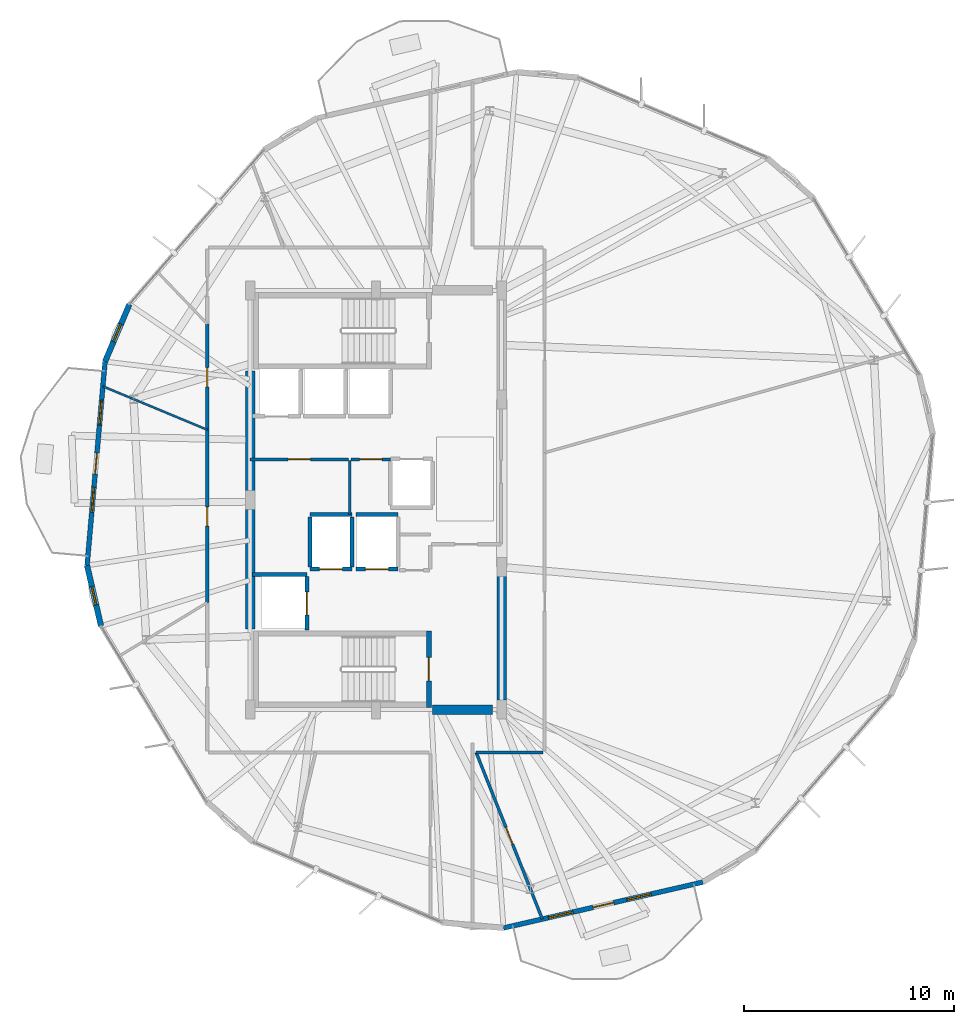
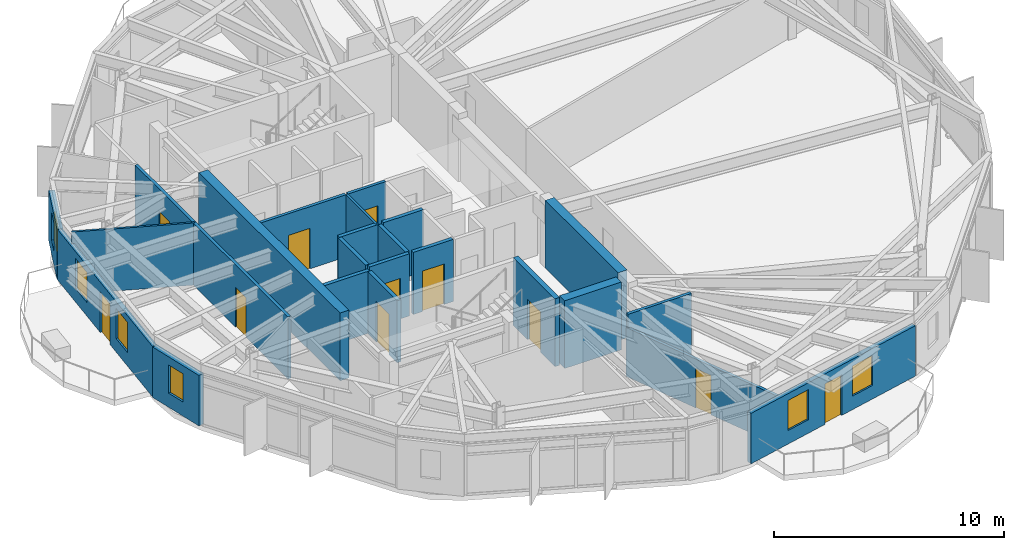
# One storey, part 22 of 27: 24 walls, 11 doors, 6 windows, 17 openings.
"""IFC4 building model written with IfcOpenShell, lengths in metres."""

import ifcopenshell
import ifcopenshell.guid

model = None  # the IFC model being written
_history = None  # IfcOwnerHistory: only IFC2X3 demands one
_inside = {}  # id of a spatial element -> (the spatial element, [elements in it])
_under = {}  # id of a project, library or spatial element -> (it, [spatial elements below it])
_declared = {}  # id of a project -> (the project, [libraries it declares])
_typed = {}  # id of a type object -> (the type object, [elements of that type])
_made_of = {}  # id of a material, layer set ... -> (it, [elements and type objects made of it])


def new_model(schema):
    """Start an empty IFC model of exactly this schema.

    Asked for "IFC4X3", IfcOpenShell would pick the latest addendum, in which some entities
    have other attributes; the version numbers below select the first issue.
    IFC2X3 requires an IfcOwnerHistory on every rooted entity: one is made here for all.
    """
    global model, _history
    if schema == "IFC4X3":
        model = ifcopenshell.file(schema_version=(4, 3, 0, 0))
    else:
        model = ifcopenshell.file(schema=schema)
    _inside.clear()
    _under.clear()
    _declared.clear()
    _typed.clear()
    _made_of.clear()
    _history = None
    if model.schema == "IFC2X3":
        org = make("IfcOrganization", Name="unknown")
        user = make(
            "IfcPersonAndOrganization",
            ThePerson=make("IfcPerson", FamilyName="unknown"),
            TheOrganization=org,
        )
        app = make(
            "IfcApplication",
            ApplicationDeveloper=org,
            Version="unknown",
            ApplicationFullName="unknown",
            ApplicationIdentifier="unknown",
        )
        _history = make(
            "IfcOwnerHistory",
            OwningUser=user,
            OwningApplication=app,
            ChangeAction="ADDED",
            CreationDate=0,
        )
    return model


def make(cls, **values):
    """One entity of the class cls with the attributes given. An attribute that is None is left unset."""
    return model.create_entity(
        cls, **{name: value for name, value in values.items() if value is not None}
    )


def rooted(cls, **values):
    """An entity with a GlobalId (a new one), such as an element, a storey or a relation."""
    return make(cls, GlobalId=ifcopenshell.guid.new(), OwnerHistory=_history, **values)


def si_unit(unit_type, name, prefix=None):
    """IfcSIUnit, for example si_unit("LENGTHUNIT", "METRE", prefix="MILLI")."""
    return make("IfcSIUnit", UnitType=unit_type, Prefix=prefix, Name=name)


def assignment(units):
    """IfcUnitAssignment: the units of a project."""
    return None if units is None else make("IfcUnitAssignment", Units=units)


def point(xyz):
    """IfcCartesianPoint."""
    return None if xyz is None else make("IfcCartesianPoint", Coordinates=xyz)


def direction(xyz):
    """IfcDirection."""
    return None if xyz is None else make("IfcDirection", DirectionRatios=xyz)


def frame(location, z_axis=None, x_axis=None):
    """IfcAxis2Placement3D, a coordinate frame: its origin and axes. An axis left out is left unset."""
    return make(
        "IfcAxis2Placement3D",
        Location=point(location),
        Axis=direction(z_axis),
        RefDirection=direction(x_axis),
    )


def frame_2d(location, x_axis=None):
    """IfcAxis2Placement2D, a coordinate frame in the plane: its origin and x axis."""
    return make(
        "IfcAxis2Placement2D", Location=point(location), RefDirection=direction(x_axis)
    )


def origin():
    """The frame at (0, 0, 0) with its axes left unset."""
    return frame((0.0, 0.0, 0.0))


def place(relative_to, where):
    """IfcLocalPlacement: puts the frame where relative to a parent placement (None: the world)."""
    return make(
        "IfcLocalPlacement", PlacementRelTo=relative_to, RelativePlacement=where
    )


def context(
    kind, dimensions, precision=None, world=None, true_north=None, identifier=None
):
    """IfcGeometricRepresentationContext, for example the 3D "Model" context."""
    return make(
        "IfcGeometricRepresentationContext",
        ContextIdentifier=identifier,
        ContextType=kind,
        CoordinateSpaceDimension=dimensions,
        Precision=precision,
        WorldCoordinateSystem=world,
        TrueNorth=true_north,
    )


def subcontext(parent, identifier, kind, view, scale=None):
    """IfcGeometricRepresentationSubContext, for example "Body" below "Model"."""
    return make(
        "IfcGeometricRepresentationSubContext",
        ContextIdentifier=identifier,
        ContextType=kind,
        ParentContext=parent,
        TargetScale=scale,
        TargetView=view,
    )


def project(units=None, contexts=None):
    """IfcProject with its units and contexts."""
    return rooted(
        "IfcProject",
        Name="project",
        RepresentationContexts=contexts,
        UnitsInContext=assignment(units),
    )


def spatial(cls, under=None, at=None, **own):
    """A site, building, storey or space (cls), placed at a placement, below another one or the project."""
    s = rooted(cls, ObjectPlacement=at, **own)
    if under is not None:
        _under.setdefault(under.id(), (under, []))[1].append(s)
    return s


def profile(cls, at=None, kind="AREA", **sizes):
    """A parametric profile (cls). Its sizes go by their IFC names, for example OverallWidth=200.0."""
    return make(cls, ProfileType=kind, Position=at, **sizes)


def rectangle(**sizes):
    """IfcRectangleProfileDef."""
    return profile("IfcRectangleProfileDef", **sizes)


def extrude(swept, where, along, depth):
    """IfcExtrudedAreaSolid: the profile swept, set in the frame where, extruded along a direction by depth."""
    return make(
        "IfcExtrudedAreaSolid",
        SweptArea=swept,
        Position=where,
        ExtrudedDirection=direction(along),
        Depth=depth,
    )


def shape(context_of_items, identifier, shape_type, items):
    """IfcShapeRepresentation: the items that make up one representation, for example the "Body"."""
    return make(
        "IfcShapeRepresentation",
        ContextOfItems=context_of_items,
        RepresentationIdentifier=identifier,
        RepresentationType=shape_type,
        Items=items,
    )


def material(Name=None, Category=None):
    """IfcMaterial."""
    return make("IfcMaterial", Name=Name, Category=Category)


def layer(
    of_material, thickness, ventilated=None, Name=None, Category=None, Priority=None
):
    """IfcMaterialLayer: one layer of a wall or slab, of a material (None: an air gap)."""
    return make(
        "IfcMaterialLayer",
        Material=of_material,
        LayerThickness=thickness,
        IsVentilated=ventilated,
        Name=Name,
        Category=Category,
        Priority=Priority,
    )


def layer_set(layers, Name=None):
    """IfcMaterialLayerSet."""
    return make("IfcMaterialLayerSet", MaterialLayers=layers, LayerSetName=Name)


def made_of(thing, what):
    """Note that an element or type object is made of a material, layer set ...; save() writes the relation."""
    if what is not None:
        _made_of.setdefault(what.id(), (what, []))[1].append(thing)
    return thing


def type_object(cls, material=None, **own):
    """A type object (cls), such as IfcWallType, which elements share."""
    return made_of(rooted(cls, **own), material)


def element(
    cls,
    number,
    at=None,
    inside=None,
    cuts=None,
    type_object=None,
    material=None,
    context=None,
    identifier="Body",
    shape_type=None,
    held_by="IfcProductDefinitionShape",
    body=None,
    shapes=None,
    **own,
):
    """One element of the class cls, such as IfcWall. Its Tag is "e" and its number.

    at: its placement. inside: the storey or other place that contains it. cuts: it is an
    opening in that element (IfcRelVoidsElement). A single representation is given by context,
    identifier, shape_type and body (its items); several are given by shapes. held_by: the class
    of the entity that holds the representations. save() writes the other relations.
    """
    e = rooted(cls, Tag="e%d" % number, ObjectPlacement=at, **own)
    if body is not None:
        shapes = [shape(context, identifier, shape_type, body)]
    if shapes is not None:
        e.Representation = make(held_by, Representations=shapes)
    if inside is not None:
        _inside.setdefault(inside.id(), (inside, []))[1].append(e)
    if cuts is not None:
        rooted(
            "IfcRelVoidsElement", RelatingBuildingElement=cuts, RelatedOpeningElement=e
        )
    if type_object is not None:
        _typed.setdefault(type_object.id(), (type_object, []))[1].append(e)
    return made_of(e, material)


def fill(opening, filler):
    """IfcRelFillsElement: the door or window that sits in an opening."""
    return rooted(
        "IfcRelFillsElement",
        RelatingOpeningElement=opening,
        RelatedBuildingElement=filler,
    )


def aggregate(whole, parts):
    """IfcRelAggregates: a whole, such as a stair, and the parts it consists of."""
    return rooted("IfcRelAggregates", RelatingObject=whole, RelatedObjects=parts)


def save(model, path):
    """Write the relations noted so far, then the file.

    IfcRelAggregates (storeys below a building ...), IfcRelContainedInSpatialStructure (elements
    in a storey), IfcRelDefinesByType, IfcRelAssociatesMaterial and IfcRelDeclares: one each for
    every whole, place, type object, material and project.
    """
    for whole, parts in _under.values():
        aggregate(whole, parts)
    for where, things in _inside.values():
        rooted(
            "IfcRelContainedInSpatialStructure",
            RelatedElements=things,
            RelatingStructure=where,
        )
    for kind, things in _typed.values():
        rooted("IfcRelDefinesByType", RelatedObjects=things, RelatingType=kind)
    for what, things in _made_of.values():
        rooted("IfcRelAssociatesMaterial", RelatedObjects=things, RelatingMaterial=what)
    for by, libraries in _declared.values():
        rooted("IfcRelDeclares", RelatingContext=by, RelatedDefinitions=libraries)
    model.write(path)


model = new_model("IFC4")

# Units and contexts
model_context = context("Model", 3, precision=1e-05, world=origin(), true_north=direction((0.0, 1.0)))
body_context = subcontext(model_context, "Body", "Model", "MODEL_VIEW")
ifc_project = project(units=[si_unit("LENGTHUNIT", "METRE"), si_unit("AREAUNIT", "SQUARE_METRE"), si_unit("VOLUMEUNIT", "CUBIC_METRE"), si_unit("PLANEANGLEUNIT", "RADIAN"), si_unit("MASSUNIT", "GRAM", prefix="KILO")], contexts=[model_context])

# Site, building, storey
site_placement = place(None, origin())
site = spatial("IfcSite", under=ifc_project, at=site_placement, CompositionType="ELEMENT")
building_placement = place(site_placement, origin())
building = spatial("IfcBuilding", under=site, at=building_placement, Name="Soratama Intermodal Tower", CompositionType="ELEMENT")
storey_placement = place(building_placement, frame((0.0, 0.0, 212.199951171875)))
storey = spatial("IfcBuildingStorey", under=building, at=storey_placement, Name="L53", CompositionType="ELEMENT", Elevation=212.199951171875)

# Wall, openings, door, windows
ifc_material_1 = material(Name="Concrete f'c 42 MPa", Category="concrete")
ifc_layer_1 = layer(ifc_material_1, 0.22998046875)
ifc_layer_set_1 = layer_set([ifc_layer_1], Name="Concrete f'c 42 MPa")
wall_type_1 = type_object("IfcWallType", Name="EW-BAL-230", PredefinedType="SOLIDWALL", material=ifc_layer_set_1)
wall_1_placement = place(storey_placement, frame((25.673095703125, 31.60791015625, 0.0), z_axis=(0.0, 0.0, 1.0), x_axis=(-0.087869741306, -0.996131973467, 0.0)))
wall_1 = element("IfcWall", 1, at=wall_1_placement, inside=storey, type_object=wall_type_1, Name="L53 Terrace Wall F04", PredefinedType="SOLIDWALL", context=body_context, shape_type="SweptSolid", body=[
    extrude(rectangle(XDim=9.76904296875, YDim=0.22998046875, at=frame_2d((4.884521484375, 0.0))), origin(), (0.0, 0.0, 1.0), 2.678955078125),
])
opening_1_placement = place(wall_1_placement, frame((4.384521484375, 0.0, 0.0)))
opening_1 = element("IfcOpeningElement", 2, at=opening_1_placement, cuts=wall_1, Name="Opening ED-2", PredefinedType="OPENING", context=body_context, shape_type="SweptSolid", body=[
    extrude(rectangle(XDim=1.0, YDim=2.14990234375, at=frame_2d((0.5, 1.074951171875))), frame((0.0, 0.125, 0.0), z_axis=(0.0, -1.0, 0.0), x_axis=(1.0, 0.0, 0.0)), (0.0, 0.0, 1.0), 0.25),
])
opening_2_placement = place(wall_1_placement, frame((1.843017578125, 0.0, 0.719970703125)))
opening_2 = element("IfcOpeningElement", 3, at=opening_2_placement, cuts=wall_1, Name="Opening WN-2", PredefinedType="OPENING", context=body_context, shape_type="SweptSolid", body=[
    extrude(rectangle(XDim=1.199951171875, YDim=1.60009765625, at=frame_2d((0.60009765625, 0.800048828125))), frame((0.0, 0.125, 0.0), z_axis=(0.0, -1.0, 0.0), x_axis=(1.0, 0.0, 0.0)), (0.0, 0.0, 1.0), 0.25),
])
opening_3_placement = place(wall_1_placement, frame((6.0244140625, 0.0, 0.719970703125)))
opening_3 = element("IfcOpeningElement", 4, at=opening_3_placement, cuts=wall_1, Name="Opening WN-2", PredefinedType="OPENING", context=body_context, shape_type="SweptSolid", body=[
    extrude(rectangle(XDim=1.199951171875, YDim=1.60009765625, at=frame_2d((0.60009765625, 0.800048828125))), frame((0.0, 0.125, 0.0), z_axis=(0.0, -1.0, 0.0), x_axis=(1.0, 0.0, 0.0)), (0.0, 0.0, 1.0), 0.25),
])
ifc_material_2 = material(Name="Double-glazed aluminium door", Category="aluminium")
door_type_1 = type_object("IfcDoorType", Name="DR-BAL-1000", OperationType="NOTDEFINED", PredefinedType="DOOR", material=ifc_material_2)
door_1_placement = place(opening_1_placement, origin())
door_1 = element("IfcDoor", 5, at=door_1_placement, inside=storey, type_object=door_type_1, Name="L53 Balcony Door F04", OperationType="SINGLE_SWING_RIGHT", OverallHeight=2.14990234375, OverallWidth=1.0, PredefinedType="DOOR", context=body_context, shape_type="SweptSolid", body=[
    extrude(rectangle(XDim=1.0, YDim=2.14990234375, at=frame_2d((0.5, 1.074951171875))), frame((0.0, 0.02490234375, 0.0), z_axis=(0.0, -1.0, 0.0), x_axis=(1.0, 0.0, 0.0)), (0.0, 0.0, 1.0), 0.050048828125),
])
fill(opening_1, door_1)
ifc_material_3 = material(Name="Double-glazed aluminium window", Category="aluminium")
window_type_1 = type_object("IfcWindowType", Name="WN-FAC-1200", PartitioningType="SINGLE_PANEL", PredefinedType="WINDOW", material=ifc_material_3)
window_1_placement = place(opening_2_placement, origin())
window_1 = element("IfcWindow", 6, at=window_1_placement, inside=storey, type_object=window_type_1, Name="L53 Window A F04", OverallHeight=1.60009765625, OverallWidth=1.199951171875, PartitioningType="SINGLE_PANEL", PredefinedType="WINDOW", context=body_context, shape_type="SweptSolid", body=[
    extrude(rectangle(XDim=1.199951171875, YDim=1.60009765625, at=frame_2d((0.60009765625, 0.800048828125))), frame((0.0, 0.030029296875, 0.0), z_axis=(0.0, -1.0, 0.0), x_axis=(1.0, 0.0, 0.0)), (0.0, 0.0, 1.0), 0.06005859375),
])
fill(opening_2, window_1)
window_2_placement = place(opening_3_placement, origin())
window_2 = element("IfcWindow", 7, at=window_2_placement, inside=storey, type_object=window_type_1, Name="L53 Window B F04", OverallHeight=1.60009765625, OverallWidth=1.199951171875, PartitioningType="SINGLE_PANEL", PredefinedType="WINDOW", context=body_context, shape_type="SweptSolid", body=[
    extrude(rectangle(XDim=1.199951171875, YDim=1.60009765625, at=frame_2d((0.60009765625, 0.800048828125))), frame((0.0, 0.030029296875, 0.0), z_axis=(0.0, -1.0, 0.0), x_axis=(1.0, 0.0, 0.0)), (0.0, 0.0, 1.0), 0.06005859375),
])
fill(opening_3, window_2)

wall_2_placement = place(storey_placement, frame((44.68798828125, 4.576904296875, 0.0), z_axis=(0.0, 0.0, 1.0), x_axis=(0.974525807261, 0.224275390941, 0.0)))
wall_2 = element("IfcWall", 8, at=wall_2_placement, inside=storey, type_object=wall_type_1, Name="L53 Terrace Wall F07", PredefinedType="SOLIDWALL", context=body_context, shape_type="SweptSolid", body=[
    extrude(rectangle(XDim=9.768798828125, YDim=0.22998046875, at=frame_2d((4.88427734375, 0.0))), origin(), (0.0, 0.0, 1.0), 2.678955078125),
])
opening_4_placement = place(wall_2_placement, frame((4.384521484375, 0.0, 0.0)))
opening_4 = element("IfcOpeningElement", 9, at=opening_4_placement, cuts=wall_2, Name="Opening ED-2", PredefinedType="OPENING", context=body_context, shape_type="SweptSolid", body=[
    extrude(rectangle(XDim=1.0, YDim=2.14990234375, at=frame_2d((0.5, 1.074951171875))), frame((0.0, 0.125, 0.0), z_axis=(0.0, -1.0, 0.0), x_axis=(1.0, 0.0, 0.0)), (0.0, 0.0, 1.0), 0.25),
])
opening_5_placement = place(wall_2_placement, frame((2.193603515625, 0.0, 0.719970703125)))
opening_5 = element("IfcOpeningElement", 10, at=opening_5_placement, cuts=wall_2, Name="Opening WN-2", PredefinedType="OPENING", context=body_context, shape_type="SweptSolid", body=[
    extrude(rectangle(XDim=1.199951171875, YDim=1.60009765625, at=frame_2d((0.60009765625, 0.800048828125))), frame((0.0, 0.125, 0.0), z_axis=(0.0, -1.0, 0.0), x_axis=(1.0, 0.0, 0.0)), (0.0, 0.0, 1.0), 0.25),
])
opening_6_placement = place(wall_2_placement, frame((6.0244140625, 0.0, 0.719970703125)))
opening_6 = element("IfcOpeningElement", 11, at=opening_6_placement, cuts=wall_2, Name="Opening WN-2", PredefinedType="OPENING", context=body_context, shape_type="SweptSolid", body=[
    extrude(rectangle(XDim=1.199951171875, YDim=1.60009765625, at=frame_2d((0.60009765625, 0.800048828125))), frame((0.0, 0.125, 0.0), z_axis=(0.0, -1.0, 0.0), x_axis=(1.0, 0.0, 0.0)), (0.0, 0.0, 1.0), 0.25),
])
door_2_placement = place(opening_4_placement, origin())
door_2 = element("IfcDoor", 12, at=door_2_placement, inside=storey, type_object=door_type_1, Name="L53 Balcony Door F07", OperationType="SINGLE_SWING_LEFT", OverallHeight=2.14990234375, OverallWidth=1.0, PredefinedType="DOOR", context=body_context, shape_type="SweptSolid", body=[
    extrude(rectangle(XDim=1.0, YDim=2.14990234375, at=frame_2d((0.5, 1.074951171875))), frame((0.0, 0.02490234375, 0.0), z_axis=(0.0, -1.0, 0.0), x_axis=(1.0, 0.0, 0.0)), (0.0, 0.0, 1.0), 0.050048828125),
])
fill(opening_4, door_2)
window_3_placement = place(opening_5_placement, origin())
window_3 = element("IfcWindow", 13, at=window_3_placement, inside=storey, type_object=window_type_1, Name="L53 Window A F07", OverallHeight=1.60009765625, OverallWidth=1.199951171875, PartitioningType="SINGLE_PANEL", PredefinedType="WINDOW", context=body_context, shape_type="SweptSolid", body=[
    extrude(rectangle(XDim=1.199951171875, YDim=1.60009765625, at=frame_2d((0.60009765625, 0.800048828125))), frame((0.0, 0.030029296875, 0.0), z_axis=(0.0, -1.0, 0.0), x_axis=(1.0, 0.0, 0.0)), (0.0, 0.0, 1.0), 0.06005859375),
])
fill(opening_5, window_3)
window_4_placement = place(opening_6_placement, origin())
window_4 = element("IfcWindow", 14, at=window_4_placement, inside=storey, type_object=window_type_1, Name="L53 Window B F07", OverallHeight=1.60009765625, OverallWidth=1.199951171875, PartitioningType="SINGLE_PANEL", PredefinedType="WINDOW", context=body_context, shape_type="SweptSolid", body=[
    extrude(rectangle(XDim=1.199951171875, YDim=1.60009765625, at=frame_2d((0.60009765625, 0.800048828125))), frame((0.0, 0.030029296875, 0.0), z_axis=(0.0, -1.0, 0.0), x_axis=(1.0, 0.0, 0.0)), (0.0, 0.0, 1.0), 0.06005859375),
])
fill(opening_6, window_4)

# Wall, opening, window
ifc_material_4 = material(Name="Concrete f'c 42 MPa", Category="concrete")
ifc_layer_2 = layer(ifc_material_4, 0.27001953125)
ifc_layer_set_2 = layer_set([ifc_layer_2], Name="Concrete f'c 42 MPa")
wall_type_2 = type_object("IfcWallType", Name="EW-CRN-270", PredefinedType="SOLIDWALL", material=ifc_layer_set_2)
wall_3_placement = place(storey_placement, frame((26.833984375, 34.337890625, 0.0), z_axis=(0.0, 0.0, 1.0), x_axis=(-0.391325355633, -0.920252392574, 0.0)))
wall_3 = element("IfcWall", 15, at=wall_3_placement, inside=storey, type_object=wall_type_2, Name="L53 Corner Closure Wall 03", PredefinedType="SOLIDWALL", context=body_context, shape_type="SweptSolid", body=[
    extrude(rectangle(XDim=2.966552734375, YDim=0.27001953125, at=frame_2d((1.4833984375, 0.0))), origin(), (0.0, 0.0, 1.0), 2.678955078125),
])
opening_7_placement = place(wall_3_placement, frame((1.033203125, 0.0, 0.75)))
opening_7 = element("IfcOpeningElement", 16, at=opening_7_placement, cuts=wall_3, Name="Opening WN-6", PredefinedType="OPENING", context=body_context, shape_type="SweptSolid", body=[
    extrude(rectangle(XDim=0.89990234375, YDim=1.5, at=frame_2d((0.449951171875, 0.75))), frame((0.0, 0.14501953125, 0.0), z_axis=(0.0, -1.0, 0.0), x_axis=(1.0, 0.0, 0.0)), (0.0, 0.0, 1.0), 0.2900390625),
])
ifc_material_5 = material(Name="Double-glazed aluminium window", Category="aluminium")
window_type_2 = type_object("IfcWindowType", Name="WN-FAC-900", PartitioningType="SINGLE_PANEL", PredefinedType="WINDOW", material=ifc_material_5)
window_5_placement = place(opening_7_placement, origin())
window_5 = element("IfcWindow", 17, at=window_5_placement, inside=storey, type_object=window_type_2, Name="L53 Corner Window 03", OverallHeight=1.5, OverallWidth=0.89990234375, PartitioningType="SINGLE_PANEL", PredefinedType="WINDOW", context=body_context, shape_type="SweptSolid", body=[
    extrude(rectangle(XDim=0.89990234375, YDim=1.5, at=frame_2d((0.449951171875, 0.75))), frame((0.0, 0.030029296875, 0.0), z_axis=(0.0, -1.0, 0.0), x_axis=(1.0, 0.0, 0.0)), (0.0, 0.0, 1.0), 0.06005859375),
])
fill(opening_7, window_5)

wall_4_placement = place(storey_placement, frame((24.814697265625, 21.876708984375, 0.0), z_axis=(0.0, 0.0, 1.0), x_axis=(0.224270411894, -0.974526953116, 0.0)))
wall_4 = element("IfcWall", 18, at=wall_4_placement, inside=storey, type_object=wall_type_2, Name="L53 Corner Closure Wall 04", PredefinedType="SOLIDWALL", context=body_context, shape_type="SweptSolid", body=[
    extrude(rectangle(XDim=2.966552734375, YDim=0.27001953125, at=frame_2d((1.4833984375, 0.0))), origin(), (0.0, 0.0, 1.0), 2.678955078125),
])
opening_8_placement = place(wall_4_placement, frame((1.033203125, 0.0, 0.75)))
opening_8 = element("IfcOpeningElement", 19, at=opening_8_placement, cuts=wall_4, Name="Opening WN-6", PredefinedType="OPENING", context=body_context, shape_type="SweptSolid", body=[
    extrude(rectangle(XDim=0.89990234375, YDim=1.5, at=frame_2d((0.449951171875, 0.75))), frame((0.0, 0.14501953125, 0.0), z_axis=(0.0, -1.0, 0.0), x_axis=(1.0, 0.0, 0.0)), (0.0, 0.0, 1.0), 0.2900390625),
])
window_6_placement = place(opening_8_placement, origin())
window_6 = element("IfcWindow", 20, at=window_6_placement, inside=storey, type_object=window_type_2, Name="L53 Corner Window 04", OverallHeight=1.5, OverallWidth=0.89990234375, PartitioningType="SINGLE_PANEL", PredefinedType="WINDOW", context=body_context, shape_type="SweptSolid", body=[
    extrude(rectangle(XDim=0.89990234375, YDim=1.5, at=frame_2d((0.449951171875, 0.75))), frame((0.0, 0.030029296875, 0.0), z_axis=(0.0, -1.0, 0.0), x_axis=(1.0, 0.0, 0.0)), (0.0, 0.0, 1.0), 0.06005859375),
])
fill(opening_8, window_6)

# Wall, opening, door
ifc_material_6 = material(Name="Fire-rated gypsum stud partition", Category="concrete")
ifc_layer_3 = layer(ifc_material_6, 0.14990234375)
ifc_layer_set_3 = layer_set([ifc_layer_3], Name="Fire-rated gypsum stud partition")
wall_type_3 = type_object("IfcWallType", Name="IW-PART-R150", PredefinedType="PARTITIONING", material=ifc_layer_set_3)
wall_5_placement = place(storey_placement, frame((30.550048828125, 20.10595703125, 0.0), z_axis=(0.0, 0.0, 1.0), x_axis=(0.0, 1.0, 0.0)))
wall_5 = element("IfcWall", 21, at=wall_5_placement, inside=storey, type_object=wall_type_3, Name="L53 Partition W-L53-TP005", PredefinedType="PARTITIONING", context=body_context, shape_type="SweptSolid", body=[
    extrude(rectangle(XDim=8.2451171875, YDim=0.14990234375, at=frame_2d((4.12255859375, 0.0))), origin(), (0.0, 0.0, 1.0), 3.300048828125),
])
opening_9_placement = place(wall_5_placement, frame((3.64697265625, 0.0, 0.0)))
opening_9 = element("IfcOpeningElement", 22, at=opening_9_placement, cuts=wall_5, Name="Opening ID-6", PredefinedType="OPENING", context=body_context, shape_type="SweptSolid", body=[
    extrude(rectangle(XDim=0.919921875, YDim=2.1201171875, at=frame_2d((0.4599609375, 1.06005859375))), frame((0.0, 0.0849609375, 0.0), z_axis=(0.0, -1.0, 0.0), x_axis=(1.0, 0.0, 0.0)), (0.0, 0.0, 1.0), 0.169921875),
])
ifc_material_7 = material(Name="Solid hardwood acoustic door", Category="wood")
door_type_2 = type_object("IfcDoorType", Name="DR-ROOM-920", OperationType="NOTDEFINED", PredefinedType="DOOR", material=ifc_material_7)
door_3_placement = place(opening_9_placement, origin())
door_3 = element("IfcDoor", 23, at=door_3_placement, inside=storey, type_object=door_type_2, Name="L53 Door D-L53-TP003", OperationType="SINGLE_SWING_RIGHT", OverallHeight=2.1201171875, OverallWidth=0.919921875, PredefinedType="DOOR", context=body_context, shape_type="SweptSolid", body=[
    extrude(rectangle(XDim=0.919921875, YDim=2.1201171875, at=frame_2d((0.4599609375, 1.06005859375))), frame((0.0, 0.02490234375, 0.0), z_axis=(0.0, -1.0, 0.0), x_axis=(1.0, 0.0, 0.0)), (0.0, 0.0, 1.0), 0.050048828125),
])
fill(opening_9, door_3)

wall_6_placement = place(storey_placement, frame((30.550048828125, 28.35107421875, 0.0), z_axis=(0.0, 0.0, 1.0), x_axis=(0.0, 1.0, 0.0)))
wall_6 = element("IfcWall", 24, at=wall_6_placement, inside=storey, type_object=wall_type_3, Name="L53 Partition W-L53-TP016", PredefinedType="PARTITIONING", context=body_context, shape_type="SweptSolid", body=[
    extrude(rectangle(XDim=5.0498046875, YDim=0.14990234375, at=frame_2d((2.52490234375, 0.0))), origin(), (0.0, 0.0, 1.0), 3.300048828125),
])
opening_10_placement = place(wall_6_placement, frame((2.050048828125, 0.0, 0.0)))
opening_10 = element("IfcOpeningElement", 25, at=opening_10_placement, cuts=wall_6, Name="Opening ID-6", PredefinedType="OPENING", context=body_context, shape_type="SweptSolid", body=[
    extrude(rectangle(XDim=0.919921875, YDim=2.1201171875, at=frame_2d((0.4599609375, 1.06005859375))), frame((0.0, 0.0849609375, 0.0), z_axis=(0.0, -1.0, 0.0), x_axis=(1.0, 0.0, 0.0)), (0.0, 0.0, 1.0), 0.169921875),
])
door_4_placement = place(opening_10_placement, origin())
door_4 = element("IfcDoor", 26, at=door_4_placement, inside=storey, type_object=door_type_2, Name="L53 Door D-L53-TP008", OperationType="SINGLE_SWING_LEFT", OverallHeight=2.1201171875, OverallWidth=0.919921875, PredefinedType="DOOR", context=body_context, shape_type="SweptSolid", body=[
    extrude(rectangle(XDim=0.919921875, YDim=2.1201171875, at=frame_2d((0.4599609375, 1.06005859375))), frame((0.0, 0.02490234375, 0.0), z_axis=(0.0, -1.0, 0.0), x_axis=(1.0, 0.0, 0.0)), (0.0, 0.0, 1.0), 0.050048828125),
])
fill(opening_10, door_4)

wall_7_placement = place(storey_placement, frame((37.2900390625, 26.93994140625, 0.0), z_axis=(0.0, 0.0, 1.0), x_axis=(-1.0, 0.0, 0.0)))
wall_7 = element("IfcWall", 27, at=wall_7_placement, inside=storey, type_object=wall_type_3, Name="L53 Partition W-L53-TP018", PredefinedType="PARTITIONING", context=body_context, shape_type="SweptSolid", body=[
    extrude(rectangle(XDim=4.68994140625, YDim=0.14990234375, at=frame_2d((2.344970703125, 0.0))), origin(), (0.0, 0.0, 1.0), 3.300048828125),
])
opening_11_placement = place(wall_7_placement, frame((1.804931640625, 0.0, 0.0)))
opening_11 = element("IfcOpeningElement", 28, at=opening_11_placement, cuts=wall_7, Name="Opening ID-1", PredefinedType="OPENING", context=body_context, shape_type="SweptSolid", body=[
    extrude(rectangle(XDim=1.080078125, YDim=2.14990234375, at=frame_2d((0.5400390625, 1.074951171875))), frame((0.0, 0.0849609375, 0.0), z_axis=(0.0, -1.0, 0.0), x_axis=(1.0, 0.0, 0.0)), (0.0, 0.0, 1.0), 0.169921875),
])
ifc_material_8 = material(Name="Solid hardwood acoustic door", Category="wood")
door_type_3 = type_object("IfcDoorType", Name="DR-LOB-FD60", OperationType="NOTDEFINED", PredefinedType="DOOR", material=ifc_material_8)
door_5_placement = place(opening_11_placement, origin())
door_5 = element("IfcDoor", 29, at=door_5_placement, inside=storey, type_object=door_type_3, Name="L53 Door D-L53-TP009", OperationType="SINGLE_SWING_RIGHT", OverallHeight=2.14990234375, OverallWidth=1.080078125, PredefinedType="DOOR", context=body_context, shape_type="SweptSolid", body=[
    extrude(rectangle(XDim=1.080078125, YDim=2.14990234375, at=frame_2d((0.5400390625, 1.074951171875))), frame((0.0, 0.02490234375, 0.0), z_axis=(0.0, -1.0, 0.0), x_axis=(1.0, 0.0, 0.0)), (0.0, 0.0, 1.0), 0.050048828125),
])
fill(opening_11, door_5)

# Wall
wall_8_placement = place(storey_placement, frame((46.580078125, 12.949951171875, 0.0), z_axis=(0.0, 0.0, 1.0), x_axis=(-1.0, 0.0, 0.0)))
element("IfcWall", 30, at=wall_8_placement, inside=storey, type_object=wall_type_3, Name="L53 Partition W-L53-TP025", PredefinedType="PARTITIONING", context=body_context, shape_type="SweptSolid", body=[
    extrude(rectangle(XDim=3.197021484375, YDim=0.14990234375, at=frame_2d((1.5986328125, 0.0))), origin(), (0.0, 0.0, 1.0), 3.300048828125),
])

# Wall, opening, door
wall_9_placement = place(storey_placement, frame((39.300048828125, 26.93994140625, 0.0), z_axis=(0.0, 0.0, 1.0), x_axis=(-1.0, 0.0, 0.0)))
wall_9 = element("IfcWall", 31, at=wall_9_placement, inside=storey, type_object=wall_type_3, Name="L53 Partition W-L53-TP027", PredefinedType="PARTITIONING", context=body_context, shape_type="SweptSolid", body=[
    extrude(rectangle(XDim=1.89013671875, YDim=0.14990234375, at=frame_2d((0.945068359375, 0.0))), origin(), (0.0, 0.0, 1.0), 3.300048828125),
])
opening_12_placement = place(wall_9_placement, frame((0.405029296875, 0.0, 0.0)))
opening_12 = element("IfcOpeningElement", 32, at=opening_12_placement, cuts=wall_9, Name="Opening ID-1", PredefinedType="OPENING", context=body_context, shape_type="SweptSolid", body=[
    extrude(rectangle(XDim=1.080078125, YDim=2.14990234375, at=frame_2d((0.5400390625, 1.074951171875))), frame((0.0, 0.0849609375, 0.0), z_axis=(0.0, -1.0, 0.0), x_axis=(1.0, 0.0, 0.0)), (0.0, 0.0, 1.0), 0.169921875),
])
door_6_placement = place(opening_12_placement, origin())
door_6 = element("IfcDoor", 33, at=door_6_placement, inside=storey, type_object=door_type_3, Name="L53 Door D-L53-TP012", OperationType="SINGLE_SWING_LEFT", OverallHeight=2.14990234375, OverallWidth=1.080078125, PredefinedType="DOOR", context=body_context, shape_type="SweptSolid", body=[
    extrude(rectangle(XDim=1.080078125, YDim=2.14990234375, at=frame_2d((0.5400390625, 1.074951171875))), frame((0.0, 0.02490234375, 0.0), z_axis=(0.0, -1.0, 0.0), x_axis=(1.0, 0.0, 0.0)), (0.0, 0.0, 1.0), 0.050048828125),
])
fill(opening_12, door_6)

# Walls
ifc_material_9 = material(Name="Fire-rated gypsum stud partition", Category="concrete")
ifc_layer_4 = layer(ifc_material_9, 0.10009765625)
ifc_layer_set_4 = layer_set([ifc_layer_4], Name="Fire-rated gypsum stud partition")
wall_type_4 = type_object("IfcWallType", Name="IW-PART-S100", PredefinedType="PARTITIONING", material=ifc_layer_set_4)
wall_10_placement = place(storey_placement, frame((30.550048828125, 28.35107421875, 0.0), z_axis=(0.0, 0.0, 1.0), x_axis=(-0.923299028804, 0.384081896748, 0.0)))
element("IfcWall", 34, at=wall_10_placement, inside=storey, type_object=wall_type_4, Name="L53 Partition W-L53-TP013", PredefinedType="PARTITIONING", context=body_context, shape_type="SweptSolid", body=[
    extrude(rectangle(XDim=5.394775390625, YDim=0.10009765625, at=frame_2d((2.697265625, 0.0))), origin(), (0.0, 0.0, 1.0), 3.300048828125),
])
ifc_material_10 = material(Name="Fire-rated gypsum stud partition", Category="concrete")
ifc_layer_5 = layer(ifc_material_10, 0.1201171875)
ifc_layer_set_5 = layer_set([ifc_layer_5], Name="Fire-rated gypsum stud partition")
wall_type_5 = type_object("IfcWallType", Name="IW-PART-S120", PredefinedType="PARTITIONING", material=ifc_layer_set_5)
wall_11_placement = place(storey_placement, frame((37.35009765625, 26.8798828125, 0.0), z_axis=(0.0, 0.0, 1.0), x_axis=(0.0, -1.0, 0.0)))
element("IfcWall", 35, at=wall_11_placement, inside=storey, type_object=wall_type_5, Name="L53 Partition W-L53-TP026", PredefinedType="PARTITIONING", context=body_context, shape_type="SweptSolid", body=[
    extrude(rectangle(XDim=2.579833984375, YDim=0.1201171875, at=frame_2d((1.2900390625, 0.0))), origin(), (0.0, 0.0, 1.0), 3.300048828125),
])

# Wall, opening, door
ifc_material_11 = material(Name="Fire-rated gypsum stud partition", Category="concrete")
ifc_layer_6 = layer(ifc_material_11, 0.139892578125)
ifc_layer_set_6 = layer_set([ifc_layer_6], Name="Fire-rated gypsum stud partition")
wall_type_6 = type_object("IfcWallType", Name="IW-PART-S140", PredefinedType="PARTITIONING", material=ifc_layer_set_6)
wall_12_placement = place(storey_placement, frame((43.383056640625, 12.949951171875, 0.0), z_axis=(0.0, 0.0, 1.0), x_axis=(0.368991960786, -0.929432586515, 0.0)))
wall_12 = element("IfcWall", 36, at=wall_12_placement, inside=storey, type_object=wall_type_6, Name="L53 Partition W-L53-TP004", PredefinedType="PARTITIONING", context=body_context, shape_type="SweptSolid", body=[
    extrude(rectangle(XDim=8.55029296875, YDim=0.139892578125, at=frame_2d((4.275146484375, 0.0))), origin(), (0.0, 0.0, 1.0), 2.594970703125),
])
opening_13_placement = place(wall_12_placement, frame((3.85009765625, 0.0, 0.0)))
opening_13 = element("IfcOpeningElement", 37, at=opening_13_placement, cuts=wall_12, Name="Opening ID-4", PredefinedType="OPENING", context=body_context, shape_type="SweptSolid", body=[
    extrude(rectangle(XDim=0.85009765625, YDim=2.10009765625, at=frame_2d((0.425048828125, 1.050048828125))), frame((0.0, 0.079833984375, 0.0), z_axis=(0.0, -1.0, 0.0), x_axis=(1.0, 0.0, 0.0)), (0.0, 0.0, 1.0), 0.159912109375),
])
ifc_material_12 = material(Name="Solid hardwood acoustic door", Category="wood")
door_type_4 = type_object("IfcDoorType", Name="DR-BATH-850", OperationType="NOTDEFINED", PredefinedType="DOOR", material=ifc_material_12)
door_7_placement = place(opening_13_placement, origin())
door_7 = element("IfcDoor", 38, at=door_7_placement, inside=storey, type_object=door_type_4, Name="L53 Door D-L53-TP014", OperationType="SINGLE_SWING_LEFT", OverallHeight=2.10009765625, OverallWidth=0.85009765625, PredefinedType="DOOR", context=body_context, shape_type="SweptSolid", body=[
    extrude(rectangle(XDim=0.85009765625, YDim=2.10009765625, at=frame_2d((0.425048828125, 1.050048828125))), frame((0.0, 0.02490234375, 0.0), z_axis=(0.0, -1.0, 0.0), x_axis=(1.0, 0.0, 0.0)), (0.0, 0.0, 1.0), 0.050048828125),
])
fill(opening_13, door_7)

ifc_material_13 = material(Name="Concrete f'c 42 MPa", Category="concrete")
ifc_layer_7 = layer(ifc_material_13, 0.18505859375)
ifc_layer_set_7 = layer_set([ifc_layer_7], Name="Concrete f'c 42 MPa")
wall_type_7 = type_object("IfcWallType", Name="IW-SHAFT-185", PredefinedType="SOLIDWALL", material=ifc_layer_set_7)
wall_13_placement = place(storey_placement, frame((35.449951171875, 21.699951171875, 0.0), z_axis=(0.0, 0.0, 1.0), x_axis=(1.0, 0.0, 0.0)))
wall_13 = element("IfcWall", 39, at=wall_13_placement, inside=storey, type_object=wall_type_7, Name="L53 FFL-1 Hoistway Wall S", PredefinedType="SOLIDWALL", context=body_context, shape_type="SweptSolid", body=[
    extrude(rectangle(XDim=2.0, YDim=0.18505859375, at=frame_2d((1.0, 0.0))), origin(), (0.0, 0.0, 1.0), 3.300048828125),
])
opening_14_placement = place(wall_13_placement, frame((0.449951171875, 0.0, 0.0)))
opening_14 = element("IfcOpeningElement", 40, at=opening_14_placement, cuts=wall_13, Name="Opening LD-1", PredefinedType="OPENING", context=body_context, shape_type="SweptSolid", body=[
    extrude(rectangle(XDim=1.10009765625, YDim=2.14990234375, at=frame_2d((0.550048828125, 1.074951171875))), frame((0.0, 0.1025390625, 0.0), z_axis=(0.0, -1.0, 0.0), x_axis=(1.0, 0.0, 0.0)), (0.0, 0.0, 1.0), 0.205078125),
])
ifc_material_14 = material(Name="Steel fire door", Category="steel")
door_type_5 = type_object("IfcDoorType", Name="DR-LIFT-SLIDE", OperationType="NOTDEFINED", PredefinedType="DOOR", material=ifc_material_14)
door_8_placement = place(opening_14_placement, origin())
door_8 = element("IfcDoor", 41, at=door_8_placement, inside=storey, type_object=door_type_5, Name="L53 FFL-1 Sliding Landing Door", OperationType="SLIDING_TO_LEFT", OverallHeight=2.14990234375, OverallWidth=1.10009765625, PredefinedType="DOOR", context=body_context, shape_type="SweptSolid", body=[
    extrude(rectangle(XDim=1.10009765625, YDim=2.14990234375, at=frame_2d((0.550048828125, 1.074951171875))), frame((0.0, 0.02490234375, 0.0), z_axis=(0.0, -1.0, 0.0), x_axis=(1.0, 0.0, 0.0)), (0.0, 0.0, 1.0), 0.050048828125),
])
fill(opening_14, door_8)

# Walls
wall_14_placement = place(storey_placement, frame((35.449951171875, 24.300048828125, 0.0), z_axis=(0.0, 0.0, 1.0), x_axis=(1.0, 0.0, 0.0)))
element("IfcWall", 42, at=wall_14_placement, inside=storey, type_object=wall_type_7, Name="L53 FFL-1 Hoistway Wall N", PredefinedType="SOLIDWALL", context=body_context, shape_type="SweptSolid", body=[
    extrude(rectangle(XDim=2.0, YDim=0.18505859375, at=frame_2d((1.0, 0.0))), origin(), (0.0, 0.0, 1.0), 3.300048828125),
])
for number, where, z_axis, x_axis, name in (
    (43, (35.449951171875, 21.81005859375, 0.0), (0.0, 0.0, 1.0), (0.0, 1.0, 0.0), "L53 FFL-1 Hoistway Wall W"),
    (44, (37.449951171875, 21.81005859375, 0.0), (0.0, 0.0, 1.0), (0.0, 1.0, 0.0), "L53 FFL-1 Hoistway Wall E"),
):
    element("IfcWall", number, at=place(storey_placement, frame(where, z_axis=z_axis, x_axis=x_axis)), inside=storey, type_object=wall_type_7, Name=name, PredefinedType="SOLIDWALL", context=body_context, shape_type="SweptSolid", body=[
        extrude(rectangle(XDim=2.3798828125, YDim=0.18505859375, at=frame_2d((1.18994140625, 0.0))), origin(), (0.0, 0.0, 1.0), 3.300048828125),
    ])

# Wall, opening, door
wall_15_placement = place(storey_placement, frame((37.64990234375, 21.699951171875, 0.0), z_axis=(0.0, 0.0, 1.0), x_axis=(1.0, 0.0, 0.0)))
wall_15 = element("IfcWall", 45, at=wall_15_placement, inside=storey, type_object=wall_type_7, Name="L53 FFL-2 Hoistway Wall S", PredefinedType="SOLIDWALL", context=body_context, shape_type="SweptSolid", body=[
    extrude(rectangle(XDim=2.0, YDim=0.18505859375, at=frame_2d((1.0, 0.0))), origin(), (0.0, 0.0, 1.0), 3.300048828125),
])
opening_15_placement = place(wall_15_placement, frame((0.449951171875, 0.0, 0.0)))
opening_15 = element("IfcOpeningElement", 46, at=opening_15_placement, cuts=wall_15, Name="Opening LD-1", PredefinedType="OPENING", context=body_context, shape_type="SweptSolid", body=[
    extrude(rectangle(XDim=1.10009765625, YDim=2.14990234375, at=frame_2d((0.550048828125, 1.074951171875))), frame((0.0, 0.1025390625, 0.0), z_axis=(0.0, -1.0, 0.0), x_axis=(1.0, 0.0, 0.0)), (0.0, 0.0, 1.0), 0.205078125),
])
door_9_placement = place(opening_15_placement, origin())
door_9 = element("IfcDoor", 47, at=door_9_placement, inside=storey, type_object=door_type_5, Name="L53 FFL-2 Sliding Landing Door", OperationType="SLIDING_TO_LEFT", OverallHeight=2.14990234375, OverallWidth=1.10009765625, PredefinedType="DOOR", context=body_context, shape_type="SweptSolid", body=[
    extrude(rectangle(XDim=1.10009765625, YDim=2.14990234375, at=frame_2d((0.550048828125, 1.074951171875))), frame((0.0, 0.02490234375, 0.0), z_axis=(0.0, -1.0, 0.0), x_axis=(1.0, 0.0, 0.0)), (0.0, 0.0, 1.0), 0.050048828125),
])
fill(opening_15, door_9)

# Walls
wall_16_placement = place(storey_placement, frame((37.64990234375, 24.300048828125, 0.0), z_axis=(0.0, 0.0, 1.0), x_axis=(1.0, 0.0, 0.0)))
element("IfcWall", 48, at=wall_16_placement, inside=storey, type_object=wall_type_7, Name="L53 FFL-2 Hoistway Wall N", PredefinedType="SOLIDWALL", context=body_context, shape_type="SweptSolid", body=[
    extrude(rectangle(XDim=2.0, YDim=0.18505859375, at=frame_2d((1.0, 0.0))), origin(), (0.0, 0.0, 1.0), 3.300048828125),
])
wall_17_placement = place(storey_placement, frame((32.719970703125, 21.449951171875, 0.0), z_axis=(0.0, 0.0, 1.0), x_axis=(1.0, 0.0, 0.0)))
element("IfcWall", 49, at=wall_17_placement, inside=storey, type_object=wall_type_7, Name="L53 SVL-1 Hoistway Wall N", PredefinedType="SOLIDWALL", context=body_context, shape_type="SweptSolid", body=[
    extrude(rectangle(XDim=2.580078125, YDim=0.18505859375, at=frame_2d((1.2900390625, 0.0))), origin(), (0.0, 0.0, 1.0), 3.300048828125),
])

# Wall, opening, door
wall_18_placement = place(storey_placement, frame((35.300048828125, 18.7900390625, 0.0), z_axis=(0.0, 0.0, 1.0), x_axis=(0.0, 1.0, 0.0)))
wall_18 = element("IfcWall", 50, at=wall_18_placement, inside=storey, type_object=wall_type_7, Name="L53 SVL-1 Hoistway Wall E", PredefinedType="SOLIDWALL", context=body_context, shape_type="SweptSolid", body=[
    extrude(rectangle(XDim=2.550048828125, YDim=0.18505859375, at=frame_2d((1.27490234375, 0.0))), origin(), (0.0, 0.0, 1.0), 3.300048828125),
])
opening_16_placement = place(wall_18_placement, frame((0.72509765625, 0.0, 0.0)))
opening_16 = element("IfcOpeningElement", 51, at=opening_16_placement, cuts=wall_18, Name="Opening LD-1", PredefinedType="OPENING", context=body_context, shape_type="SweptSolid", body=[
    extrude(rectangle(XDim=1.10009765625, YDim=2.14990234375, at=frame_2d((0.550048828125, 1.074951171875))), frame((0.0, 0.1025390625, 0.0), z_axis=(0.0, -1.0, 0.0), x_axis=(1.0, 0.0, 0.0)), (0.0, 0.0, 1.0), 0.205078125),
])
door_10_placement = place(opening_16_placement, origin())
door_10 = element("IfcDoor", 52, at=door_10_placement, inside=storey, type_object=door_type_5, Name="L53 SVL-1 Sliding Landing Door", OperationType="SLIDING_TO_LEFT", OverallHeight=2.14990234375, OverallWidth=1.10009765625, PredefinedType="DOOR", context=body_context, shape_type="SweptSolid", body=[
    extrude(rectangle(XDim=1.10009765625, YDim=2.14990234375, at=frame_2d((0.550048828125, 1.074951171875))), frame((0.0, 0.02490234375, 0.0), z_axis=(0.0, -1.0, 0.0), x_axis=(1.0, 0.0, 0.0)), (0.0, 0.0, 1.0), 0.050048828125),
])
fill(opening_16, door_10)

# Walls
ifc_material_15 = material(Name="Concrete f'c 56 MPa", Category="concrete")
ifc_layer_8 = layer(ifc_material_15, 0.449951171875)
ifc_layer_set_8 = layer_set([ifc_layer_8], Name="Concrete f'c 56 MPa")
wall_type_8 = type_object("IfcWallType", Name="SW-CORE-450", PredefinedType="SHEAR", material=ifc_layer_set_8)
wall_19_placement = place(storey_placement, frame((32.60009765625, 18.85009765625, 0.0), z_axis=(0.0, 0.0, 1.0), x_axis=(0.0, 1.0, 0.0)))
element("IfcWall", 53, at=wall_19_placement, inside=storey, type_object=wall_type_8, Name="L53 Core Shear Wall CW-WMID", PredefinedType="SHEAR", context=body_context, shape_type="SweptSolid", body=[
    extrude(rectangle(XDim=12.2998046875, YDim=0.449951171875, at=frame_2d((6.14990234375, 0.0))), origin(), (0.0, 0.0, 1.0), 3.60009765625),
])
wall_20_placement = place(storey_placement, frame((41.300048828125, 15.0, 0.0), z_axis=(0.0, 0.0, 1.0), x_axis=(1.0, 0.0, 0.0)))
element("IfcWall", 54, at=wall_20_placement, inside=storey, type_object=wall_type_8, Name="L53 Core Shear Wall CW-SE", PredefinedType="SHEAR", context=body_context, shape_type="SweptSolid", body=[
    extrude(rectangle(XDim=2.849853515625, YDim=0.449951171875, at=frame_2d((1.4248046875, 0.0))), origin(), (0.0, 0.0, 1.0), 3.60009765625),
])
wall_21_placement = place(storey_placement, frame((44.60009765625, 15.449951171875, 0.0), z_axis=(0.0, 0.0, 1.0), x_axis=(0.0, 1.0, 0.0)))
element("IfcWall", 55, at=wall_21_placement, inside=storey, type_object=wall_type_8, Name="L53 Core Shear Wall CW-ES", PredefinedType="SHEAR", context=body_context, shape_type="SweptSolid", body=[
    extrude(rectangle(XDim=6.35009765625, YDim=0.449951171875, at=frame_2d((3.175048828125, 0.0))), origin(), (0.0, 0.0, 1.0), 3.60009765625),
])

# Wall, opening, door
ifc_material_16 = material(Name="Concrete f'c 56 MPa", Category="concrete")
ifc_layer_9 = layer(ifc_material_16, 0.239990234375)
ifc_layer_set_9 = layer_set([ifc_layer_9], Name="Concrete f'c 56 MPa")
wall_type_9 = type_object("IfcWallType", Name="SW-STAIR-240", PredefinedType="SHEAR", material=ifc_layer_set_9)
wall_22_placement = place(storey_placement, frame((41.1201171875, 15.110107421875, 0.0), z_axis=(0.0, 0.0, 1.0), x_axis=(0.0, 1.0, 0.0)))
wall_22 = element("IfcWall", 56, at=wall_22_placement, inside=storey, type_object=wall_type_9, Name="L53 ST-1 Shaft Shear Wall E", PredefinedType="SHEAR", context=body_context, shape_type="SweptSolid", body=[
    extrude(rectangle(XDim=3.6298828125, YDim=0.239990234375, at=frame_2d((1.81494140625, 0.0))), origin(), (0.0, 0.0, 1.0), 3.60009765625),
])
opening_17_placement = place(wall_22_placement, frame((1.2548828125, 0.0, 0.0)))
opening_17 = element("IfcOpeningElement", 57, at=opening_17_placement, cuts=wall_22, Name="Opening SD-1", PredefinedType="OPENING", context=body_context, shape_type="SweptSolid", body=[
    extrude(rectangle(XDim=1.1201171875, YDim=2.14990234375, at=frame_2d((0.56005859375, 1.074951171875))), frame((0.0, 0.1298828125, 0.0), z_axis=(0.0, -1.0, 0.0), x_axis=(1.0, 0.0, 0.0)), (0.0, 0.0, 1.0), 0.260009765625),
])
ifc_material_17 = material(Name="Steel fire door", Category="steel")
door_type_6 = type_object("IfcDoorType", Name="DR-STAIR-FD90", OperationType="NOTDEFINED", PredefinedType="DOOR", material=ifc_material_17)
door_11_placement = place(opening_17_placement, origin())
door_11 = element("IfcDoor", 58, at=door_11_placement, inside=storey, type_object=door_type_6, Name="L53 ST-1 Exit Stair Door", OperationType="SINGLE_SWING_LEFT", OverallHeight=2.14990234375, OverallWidth=1.1201171875, PredefinedType="DOOR", context=body_context, shape_type="SweptSolid", body=[
    extrude(rectangle(XDim=1.1201171875, YDim=2.14990234375, at=frame_2d((0.56005859375, 1.074951171875))), frame((0.0, 0.02490234375, 0.0), z_axis=(0.0, -1.0, 0.0), x_axis=(1.0, 0.0, 0.0)), (0.0, 0.0, 1.0), 0.050048828125),
])
fill(opening_17, door_11)

save(model, "model.ifc")
